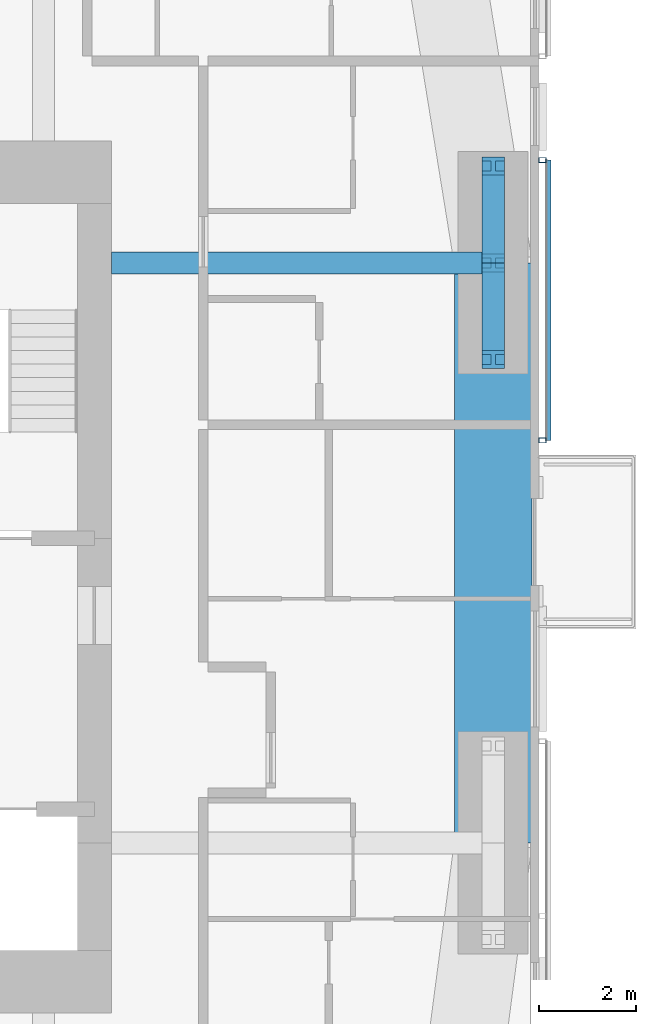
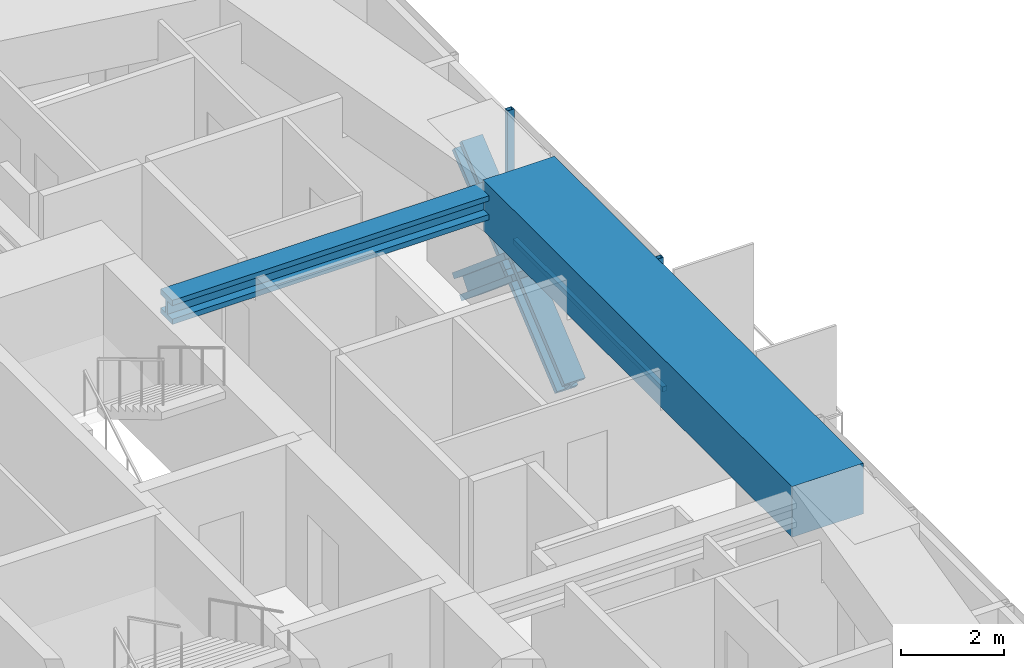
# One storey, part 8 of 23: 7 members, 2 beams, 1 element without a shape of its own.
"""IFC4 building model written with IfcOpenShell, lengths in metres."""

import ifcopenshell
import ifcopenshell.guid

model = None  # the IFC model being written
_history = None  # IfcOwnerHistory: only IFC2X3 demands one
_inside = {}  # id of a spatial element -> (the spatial element, [elements in it])
_under = {}  # id of a project, library or spatial element -> (it, [spatial elements below it])
_declared = {}  # id of a project -> (the project, [libraries it declares])
_typed = {}  # id of a type object -> (the type object, [elements of that type])
_made_of = {}  # id of a material, layer set ... -> (it, [elements and type objects made of it])


def new_model(schema):
    """Start an empty IFC model of exactly this schema.

    Asked for "IFC4X3", IfcOpenShell would pick the latest addendum, in which some entities
    have other attributes; the version numbers below select the first issue.
    IFC2X3 requires an IfcOwnerHistory on every rooted entity: one is made here for all.
    """
    global model, _history
    if schema == "IFC4X3":
        model = ifcopenshell.file(schema_version=(4, 3, 0, 0))
    else:
        model = ifcopenshell.file(schema=schema)
    _inside.clear()
    _under.clear()
    _declared.clear()
    _typed.clear()
    _made_of.clear()
    _history = None
    if model.schema == "IFC2X3":
        org = make("IfcOrganization", Name="unknown")
        user = make(
            "IfcPersonAndOrganization",
            ThePerson=make("IfcPerson", FamilyName="unknown"),
            TheOrganization=org,
        )
        app = make(
            "IfcApplication",
            ApplicationDeveloper=org,
            Version="unknown",
            ApplicationFullName="unknown",
            ApplicationIdentifier="unknown",
        )
        _history = make(
            "IfcOwnerHistory",
            OwningUser=user,
            OwningApplication=app,
            ChangeAction="ADDED",
            CreationDate=0,
        )
    return model


def make(cls, **values):
    """One entity of the class cls with the attributes given. An attribute that is None is left unset."""
    return model.create_entity(
        cls, **{name: value for name, value in values.items() if value is not None}
    )


def rooted(cls, **values):
    """An entity with a GlobalId (a new one), such as an element, a storey or a relation."""
    return make(cls, GlobalId=ifcopenshell.guid.new(), OwnerHistory=_history, **values)


def si_unit(unit_type, name, prefix=None):
    """IfcSIUnit, for example si_unit("LENGTHUNIT", "METRE", prefix="MILLI")."""
    return make("IfcSIUnit", UnitType=unit_type, Prefix=prefix, Name=name)


def assignment(units):
    """IfcUnitAssignment: the units of a project."""
    return None if units is None else make("IfcUnitAssignment", Units=units)


def point(xyz):
    """IfcCartesianPoint."""
    return None if xyz is None else make("IfcCartesianPoint", Coordinates=xyz)


def direction(xyz):
    """IfcDirection."""
    return None if xyz is None else make("IfcDirection", DirectionRatios=xyz)


def frame(location, z_axis=None, x_axis=None):
    """IfcAxis2Placement3D, a coordinate frame: its origin and axes. An axis left out is left unset."""
    return make(
        "IfcAxis2Placement3D",
        Location=point(location),
        Axis=direction(z_axis),
        RefDirection=direction(x_axis),
    )


def frame_2d(location, x_axis=None):
    """IfcAxis2Placement2D, a coordinate frame in the plane: its origin and x axis."""
    return make(
        "IfcAxis2Placement2D", Location=point(location), RefDirection=direction(x_axis)
    )


def origin():
    """The frame at (0, 0, 0) with its axes left unset."""
    return frame((0.0, 0.0, 0.0))


def origin_2d():
    """The frame at (0, 0) in the plane with its x axis left unset."""
    return frame_2d((0.0, 0.0))


def place(relative_to, where):
    """IfcLocalPlacement: puts the frame where relative to a parent placement (None: the world)."""
    return make(
        "IfcLocalPlacement", PlacementRelTo=relative_to, RelativePlacement=where
    )


def context(
    kind, dimensions, precision=None, world=None, true_north=None, identifier=None
):
    """IfcGeometricRepresentationContext, for example the 3D "Model" context."""
    return make(
        "IfcGeometricRepresentationContext",
        ContextIdentifier=identifier,
        ContextType=kind,
        CoordinateSpaceDimension=dimensions,
        Precision=precision,
        WorldCoordinateSystem=world,
        TrueNorth=true_north,
    )


def subcontext(parent, identifier, kind, view, scale=None):
    """IfcGeometricRepresentationSubContext, for example "Body" below "Model"."""
    return make(
        "IfcGeometricRepresentationSubContext",
        ContextIdentifier=identifier,
        ContextType=kind,
        ParentContext=parent,
        TargetScale=scale,
        TargetView=view,
    )


def project(units=None, contexts=None):
    """IfcProject with its units and contexts."""
    return rooted(
        "IfcProject",
        Name="project",
        RepresentationContexts=contexts,
        UnitsInContext=assignment(units),
    )


def spatial(cls, under=None, at=None, **own):
    """A site, building, storey or space (cls), placed at a placement, below another one or the project."""
    s = rooted(cls, ObjectPlacement=at, **own)
    if under is not None:
        _under.setdefault(under.id(), (under, []))[1].append(s)
    return s


def profile(cls, at=None, kind="AREA", **sizes):
    """A parametric profile (cls). Its sizes go by their IFC names, for example OverallWidth=200.0."""
    return make(cls, ProfileType=kind, Position=at, **sizes)


def rectangle(**sizes):
    """IfcRectangleProfileDef."""
    return profile("IfcRectangleProfileDef", **sizes)


def hollow_rectangle(**sizes):
    """IfcRectangleHollowProfileDef."""
    return profile("IfcRectangleHollowProfileDef", **sizes)


def i_section(**sizes):
    """IfcIShapeProfileDef."""
    return profile("IfcIShapeProfileDef", **sizes)


def extrude(swept, where, along, depth):
    """IfcExtrudedAreaSolid: the profile swept, set in the frame where, extruded along a direction by depth."""
    return make(
        "IfcExtrudedAreaSolid",
        SweptArea=swept,
        Position=where,
        ExtrudedDirection=direction(along),
        Depth=depth,
    )


def shape(context_of_items, identifier, shape_type, items):
    """IfcShapeRepresentation: the items that make up one representation, for example the "Body"."""
    return make(
        "IfcShapeRepresentation",
        ContextOfItems=context_of_items,
        RepresentationIdentifier=identifier,
        RepresentationType=shape_type,
        Items=items,
    )


def material(Name=None, Category=None):
    """IfcMaterial."""
    return make("IfcMaterial", Name=Name, Category=Category)


def material_profile(
    of_material, cross_section, Name=None, Category=None, Priority=None
):
    """IfcMaterialProfile: a cross section and its material."""
    return make(
        "IfcMaterialProfile",
        Name=Name,
        Material=of_material,
        Profile=cross_section,
        Priority=Priority,
        Category=Category,
    )


def profile_set(profiles, Name=None, composite=None):
    """IfcMaterialProfileSet."""
    return make(
        "IfcMaterialProfileSet",
        Name=Name,
        MaterialProfiles=profiles,
        CompositeProfile=composite,
    )


def made_of(thing, what):
    """Note that an element or type object is made of a material, layer set ...; save() writes the relation."""
    if what is not None:
        _made_of.setdefault(what.id(), (what, []))[1].append(thing)
    return thing


def type_object(cls, material=None, **own):
    """A type object (cls), such as IfcWallType, which elements share."""
    return made_of(rooted(cls, **own), material)


def element(
    cls,
    number,
    at=None,
    inside=None,
    cuts=None,
    type_object=None,
    material=None,
    context=None,
    identifier="Body",
    shape_type=None,
    held_by="IfcProductDefinitionShape",
    body=None,
    shapes=None,
    **own,
):
    """One element of the class cls, such as IfcWall. Its Tag is "e" and its number.

    at: its placement. inside: the storey or other place that contains it. cuts: it is an
    opening in that element (IfcRelVoidsElement). A single representation is given by context,
    identifier, shape_type and body (its items); several are given by shapes. held_by: the class
    of the entity that holds the representations. save() writes the other relations.
    """
    e = rooted(cls, Tag="e%d" % number, ObjectPlacement=at, **own)
    if body is not None:
        shapes = [shape(context, identifier, shape_type, body)]
    if shapes is not None:
        e.Representation = make(held_by, Representations=shapes)
    if inside is not None:
        _inside.setdefault(inside.id(), (inside, []))[1].append(e)
    if cuts is not None:
        rooted(
            "IfcRelVoidsElement", RelatingBuildingElement=cuts, RelatedOpeningElement=e
        )
    if type_object is not None:
        _typed.setdefault(type_object.id(), (type_object, []))[1].append(e)
    return made_of(e, material)


def aggregate(whole, parts):
    """IfcRelAggregates: a whole, such as a stair, and the parts it consists of."""
    return rooted("IfcRelAggregates", RelatingObject=whole, RelatedObjects=parts)


def save(model, path):
    """Write the relations noted so far, then the file.

    IfcRelAggregates (storeys below a building ...), IfcRelContainedInSpatialStructure (elements
    in a storey), IfcRelDefinesByType, IfcRelAssociatesMaterial and IfcRelDeclares: one each for
    every whole, place, type object, material and project.
    """
    for whole, parts in _under.values():
        aggregate(whole, parts)
    for where, things in _inside.values():
        rooted(
            "IfcRelContainedInSpatialStructure",
            RelatedElements=things,
            RelatingStructure=where,
        )
    for kind, things in _typed.values():
        rooted("IfcRelDefinesByType", RelatedObjects=things, RelatingType=kind)
    for what, things in _made_of.values():
        rooted("IfcRelAssociatesMaterial", RelatedObjects=things, RelatingMaterial=what)
    for by, libraries in _declared.values():
        rooted("IfcRelDeclares", RelatingContext=by, RelatedDefinitions=libraries)
    model.write(path)


model = new_model("IFC4")

# Units and contexts
model_context = context("Model", 3, precision=1e-05, world=origin(), true_north=direction((0.0, 1.0)))
body_context = subcontext(model_context, "Body", "Model", "MODEL_VIEW")
ifc_project = project(units=[si_unit("LENGTHUNIT", "METRE"), si_unit("AREAUNIT", "SQUARE_METRE"), si_unit("VOLUMEUNIT", "CUBIC_METRE"), si_unit("PLANEANGLEUNIT", "RADIAN"), si_unit("MASSUNIT", "GRAM", prefix="KILO")], contexts=[model_context])

# Site, building, storey
site_placement = place(None, origin())
site = spatial("IfcSite", under=ifc_project, at=site_placement, CompositionType="ELEMENT")
building_placement = place(site_placement, origin())
building = spatial("IfcBuilding", under=site, at=building_placement, Name="Jalousie Tower", CompositionType="ELEMENT")
storey_placement = place(building_placement, frame((0.0, 0.0, 164.39990234375)))
storey = spatial("IfcBuildingStorey", under=building, at=storey_placement, Name="L44", CompositionType="ELEMENT", Elevation=164.39990234375)

# Beam
ifc_material_1 = material(Name="Steel ASTM A992 Grade 50", Category="steel")
ifc_material_profile_1 = material_profile(ifc_material_1, i_section(OverallWidth=0.45458984375, OverallDepth=0.569091796875, WebThickness=0.077880859375, FlangeThickness=0.124755859375, at=origin_2d()), Name="W14X730")
ifc_profile_set_1 = profile_set([ifc_material_profile_1], Name="Steel ASTM A992 Grade 50")
beam_type_1 = type_object("IfcBeamType", Name="LEAN COLLECTOR W14X730", PredefinedType="BEAM", material=ifc_profile_set_1)
beam_1_placement = place(storey_placement, frame((52.050048828125, 25.0, 2.82568359375), z_axis=(-1.0, 0.0, 0.0), x_axis=(0.0, -1.0, 0.0)))
element("IfcBeam", 1, at=beam_1_placement, inside=storey, type_object=beam_type_1, Name="Lean collector under L45", PredefinedType="BEAM", context=body_context, shape_type="SweptSolid", body=[
    extrude(i_section(OverallWidth=0.45458984375, OverallDepth=0.569091796875, WebThickness=0.077880859375, FlangeThickness=0.124755859375, at=origin_2d()), origin(), (0.0, 0.0, 1.0), 7.900146484375),
])

# Members
ifc_material_2 = material(Name="Steel ASTM A992 Grade 50", Category="steel")
ifc_material_profile_2 = material_profile(ifc_material_2, i_section(OverallWidth=0.472412109375, OverallDepth=0.5791015625, WebThickness=0.094970703125, FlangeThickness=0.1298828125, at=origin_2d()), Name="W14X808")
ifc_profile_set_2 = profile_set([ifc_material_profile_2], Name="Steel ASTM A992 Grade 50")
member_type_1 = type_object("IfcMemberType", Name="PERIMETER BRACE W14X808", PredefinedType="BRACE", material=ifc_profile_set_2)
member_1_placement = place(storey_placement, frame((52.050048828125, 23.0, -0.599853515625), z_axis=(0.0, 0.766638753323, 0.642078672674), x_axis=(-1.0, 0.0, 0.0)))
element("IfcMember", 2, at=member_1_placement, inside=storey, type_object=member_type_1, Name="Perimeter brace 07 L44 part 1", PredefinedType="BRACE", context=body_context, shape_type="SweptSolid", body=[
    extrude(i_section(OverallWidth=0.472412109375, OverallDepth=0.5791015625, WebThickness=0.094970703125, FlangeThickness=0.1298828125, at=origin_2d()), origin(), (0.0, 0.0, 1.0), 2.60888671875),
])
member_2_placement = place(storey_placement, frame((52.050048828125, 25.0, 1.0751953125), z_axis=(0.0, 0.766684820047, 0.642023665225), x_axis=(-1.0, 0.0, 0.0)))
element("IfcMember", 3, at=member_2_placement, inside=storey, type_object=member_type_1, Name="Perimeter brace 07 L44 part 2", PredefinedType="BRACE", context=body_context, shape_type="SweptSolid", body=[
    extrude(i_section(OverallWidth=0.472412109375, OverallDepth=0.5791015625, WebThickness=0.094970703125, FlangeThickness=0.1298828125, at=origin_2d()), origin(), (0.0, 0.0, 1.0), 2.608642578125),
])
member_3_placement = place(storey_placement, frame((52.050048828125, 27.0, -0.599853515625), z_axis=(0.0, -0.766638753323, 0.642078672674), x_axis=(1.0, 0.0, 0.0)))
element("IfcMember", 4, at=member_3_placement, inside=storey, type_object=member_type_1, Name="Perimeter brace 07 L44 part 3", PredefinedType="BRACE", context=body_context, shape_type="SweptSolid", body=[
    extrude(i_section(OverallWidth=0.472412109375, OverallDepth=0.5791015625, WebThickness=0.094970703125, FlangeThickness=0.1298828125, at=origin_2d()), origin(), (0.0, 0.0, 1.0), 2.60888671875),
])
member_4_placement = place(storey_placement, frame((52.050048828125, 25.0, 1.0751953125), z_axis=(0.0, -0.766684820047, 0.642023665225), x_axis=(1.0, 0.0, 0.0)))
element("IfcMember", 5, at=member_4_placement, inside=storey, type_object=member_type_1, Name="Perimeter brace 07 L44 part 4", PredefinedType="BRACE", context=body_context, shape_type="SweptSolid", body=[
    extrude(i_section(OverallWidth=0.472412109375, OverallDepth=0.5791015625, WebThickness=0.094970703125, FlangeThickness=0.1298828125, at=origin_2d()), origin(), (0.0, 0.0, 1.0), 2.608642578125),
])

# Beam
ifc_material_3 = material(Name="Concrete f'c 40 MPa", Category="concrete")
ifc_material_profile_3 = material_profile(ifc_material_3, rectangle(XDim=1.60009765625, YDim=1.199951171875, at=origin_2d()), Name="RC 1600x1200")
ifc_profile_set_3 = profile_set([ifc_material_profile_3], Name="Concrete f'c 40 MPa")
beam_type_2 = type_object("IfcBeamType", Name="RC BEAM 1600x1200", PredefinedType="BEAM", material=ifc_profile_set_3)
beam_2_placement = place(storey_placement, frame((52.050048828125, 13.0, 2.75), z_axis=(0.0, 1.0, 0.0), x_axis=(-1.0, 0.0, 0.0)))
element("IfcBeam", 6, at=beam_2_placement, inside=storey, type_object=beam_type_2, Name="Edge band beam 06-07 under L45", PredefinedType="BEAM", context=body_context, shape_type="SweptSolid", body=[
    extrude(rectangle(XDim=1.60009765625, YDim=1.199951171875, at=origin_2d()), origin(), (0.0, 0.0, 1.0), 12.0),
])

# Curtain wall, members
ifc_material_4 = material(Name="Perforated aluminium sheet", Category="aluminium")
curtain_wall_type = type_object("IfcCurtainWallType", Name="SOLAR SCREEN SS-1", PredefinedType="USERDEFINED", material=ifc_material_4)
curtain_wall_placement = place(storey_placement, origin())
curtain_wall = element("IfcCurtainWall", 7, at=curtain_wall_placement, inside=storey, type_object=curtain_wall_type, Name="Solar screen L44", ObjectType="SOLAR SCREEN SS-1", PredefinedType="USERDEFINED")
ifc_material_5 = material(Name="Steel ASTM A500 Grade C", Category="steel")
ifc_material_profile_4 = material_profile(ifc_material_5, hollow_rectangle(XDim=0.1015625, YDim=0.15234375, WallThickness=0.00634765625, at=origin_2d()), Name="HSS6X4X1/4")
ifc_profile_set_4 = profile_set([ifc_material_profile_4], Name="Steel ASTM A500 Grade C")
member_type_2 = type_object("IfcMemberType", Name="SOLAR SCREEN SS-1 MULLION", PredefinedType="MULLION", material=ifc_profile_set_4)
member_5_placement = place(storey_placement, frame((53.0712890625, 21.324951171875, -0.119873046875), z_axis=(0.0, 0.0, 1.0), x_axis=(0.0, 1.0, 0.0)))
member_5 = element("IfcMember", 8, at=member_5_placement, type_object=member_type_2, Name="SS1 post 1", PredefinedType="MULLION", context=body_context, shape_type="SweptSolid", body=[
    extrude(hollow_rectangle(XDim=0.1015625, YDim=0.15234375, WallThickness=0.00634765625, at=origin_2d()), origin(), (0.0, 0.0, 1.0), 3.22998046875),
])
member_6_placement = place(storey_placement, frame((53.0712890625, 27.12451171875, -0.119873046875), z_axis=(0.0, 0.0, 1.0), x_axis=(0.0, 1.0, 0.0)))
member_6 = element("IfcMember", 9, at=member_6_placement, type_object=member_type_2, Name="SS1 post 2", PredefinedType="MULLION", context=body_context, shape_type="SweptSolid", body=[
    extrude(hollow_rectangle(XDim=0.1015625, YDim=0.15234375, WallThickness=0.00634765625, at=origin_2d()), origin(), (0.0, 0.0, 1.0), 3.22998046875),
])
ifc_material_6 = material(Name="Extruded aluminium screen rail", Category="aluminium")
ifc_material_profile_5 = material_profile(ifc_material_6, rectangle(XDim=0.1015625, YDim=0.1201171875, at=origin_2d()), Name="RAIL 102x120")
ifc_profile_set_5 = profile_set([ifc_material_profile_5], Name="Extruded aluminium screen rail")
member_type_3 = type_object("IfcMemberType", Name="SOLAR SCREEN SS-1 TRANSOM", PredefinedType="USERDEFINED", material=ifc_profile_set_5)
member_7_placement = place(storey_placement, frame((53.1982421875, 21.324951171875, -0.059814453125), z_axis=(0.0, 1.0, 0.0), x_axis=(-1.0, 0.0, 0.0)))
member_7 = element("IfcMember", 10, at=member_7_placement, type_object=member_type_3, Name="SS1 rail", ObjectType="TRANSOM", PredefinedType="USERDEFINED", context=body_context, shape_type="SweptSolid", body=[
    extrude(rectangle(XDim=0.1015625, YDim=0.1201171875, at=origin_2d()), origin(), (0.0, 0.0, 1.0), 5.799560546875),
])
aggregate(curtain_wall, [member_5, member_6, member_7])

save(model, "model.ifc")
